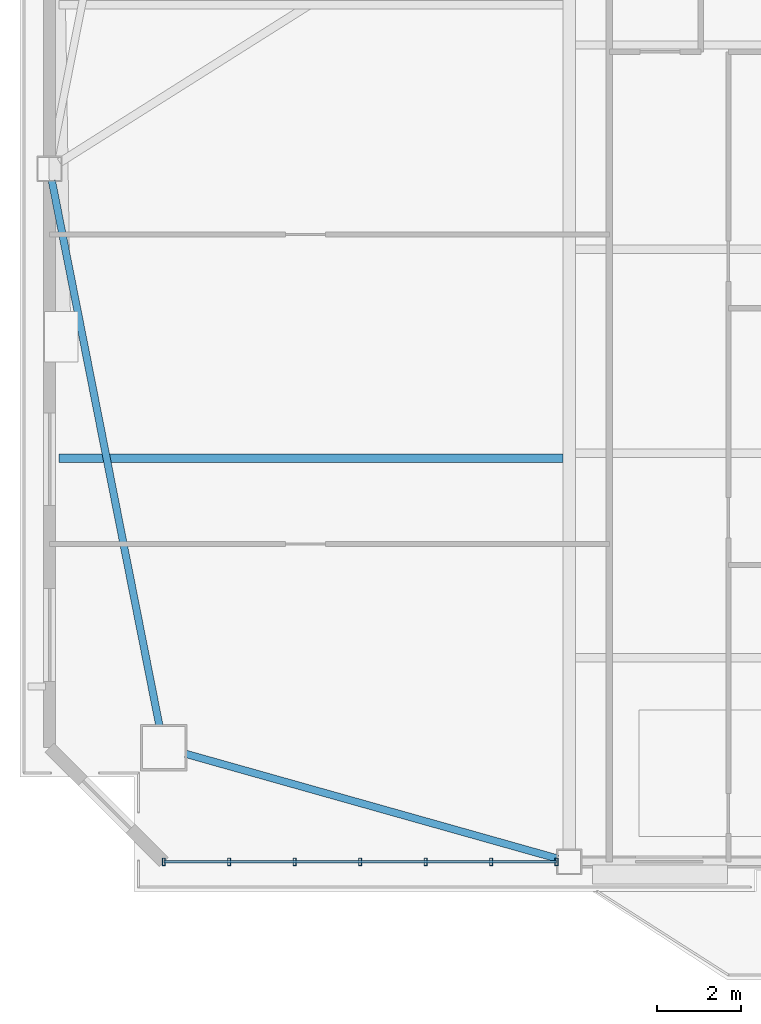
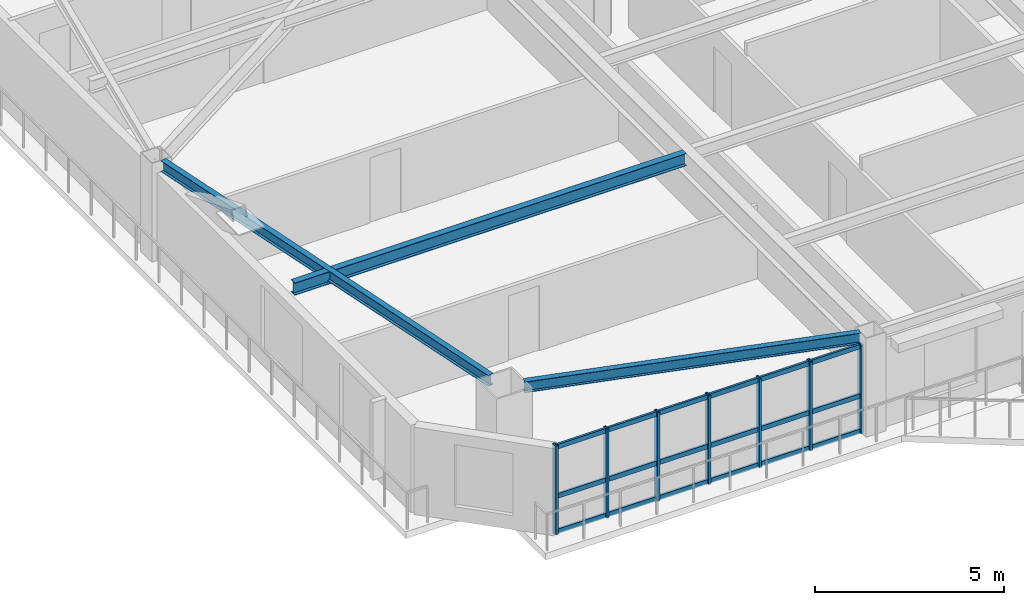
# One storey, part 2 of 16: 10 members, 3 beams, 1 element without a shape of its own.
"""IFC4 building model written with IfcOpenShell, lengths in metres."""

import ifcopenshell
import ifcopenshell.guid

model = None  # the IFC model being written
_history = None  # IfcOwnerHistory: only IFC2X3 demands one
_inside = {}  # id of a spatial element -> (the spatial element, [elements in it])
_under = {}  # id of a project, library or spatial element -> (it, [spatial elements below it])
_declared = {}  # id of a project -> (the project, [libraries it declares])
_typed = {}  # id of a type object -> (the type object, [elements of that type])
_made_of = {}  # id of a material, layer set ... -> (it, [elements and type objects made of it])


def new_model(schema):
    """Start an empty IFC model of exactly this schema.

    Asked for "IFC4X3", IfcOpenShell would pick the latest addendum, in which some entities
    have other attributes; the version numbers below select the first issue.
    IFC2X3 requires an IfcOwnerHistory on every rooted entity: one is made here for all.
    """
    global model, _history
    if schema == "IFC4X3":
        model = ifcopenshell.file(schema_version=(4, 3, 0, 0))
    else:
        model = ifcopenshell.file(schema=schema)
    _inside.clear()
    _under.clear()
    _declared.clear()
    _typed.clear()
    _made_of.clear()
    _history = None
    if model.schema == "IFC2X3":
        org = make("IfcOrganization", Name="unknown")
        user = make(
            "IfcPersonAndOrganization",
            ThePerson=make("IfcPerson", FamilyName="unknown"),
            TheOrganization=org,
        )
        app = make(
            "IfcApplication",
            ApplicationDeveloper=org,
            Version="unknown",
            ApplicationFullName="unknown",
            ApplicationIdentifier="unknown",
        )
        _history = make(
            "IfcOwnerHistory",
            OwningUser=user,
            OwningApplication=app,
            ChangeAction="ADDED",
            CreationDate=0,
        )
    return model


def make(cls, **values):
    """One entity of the class cls with the attributes given. An attribute that is None is left unset."""
    return model.create_entity(
        cls, **{name: value for name, value in values.items() if value is not None}
    )


def rooted(cls, **values):
    """An entity with a GlobalId (a new one), such as an element, a storey or a relation."""
    return make(cls, GlobalId=ifcopenshell.guid.new(), OwnerHistory=_history, **values)


def si_unit(unit_type, name, prefix=None):
    """IfcSIUnit, for example si_unit("LENGTHUNIT", "METRE", prefix="MILLI")."""
    return make("IfcSIUnit", UnitType=unit_type, Prefix=prefix, Name=name)


def assignment(units):
    """IfcUnitAssignment: the units of a project."""
    return None if units is None else make("IfcUnitAssignment", Units=units)


def point(xyz):
    """IfcCartesianPoint."""
    return None if xyz is None else make("IfcCartesianPoint", Coordinates=xyz)


def direction(xyz):
    """IfcDirection."""
    return None if xyz is None else make("IfcDirection", DirectionRatios=xyz)


def frame(location, z_axis=None, x_axis=None):
    """IfcAxis2Placement3D, a coordinate frame: its origin and axes. An axis left out is left unset."""
    return make(
        "IfcAxis2Placement3D",
        Location=point(location),
        Axis=direction(z_axis),
        RefDirection=direction(x_axis),
    )


def frame_2d(location, x_axis=None):
    """IfcAxis2Placement2D, a coordinate frame in the plane: its origin and x axis."""
    return make(
        "IfcAxis2Placement2D", Location=point(location), RefDirection=direction(x_axis)
    )


def origin():
    """The frame at (0, 0, 0) with its axes left unset."""
    return frame((0.0, 0.0, 0.0))


def origin_2d():
    """The frame at (0, 0) in the plane with its x axis left unset."""
    return frame_2d((0.0, 0.0))


def place(relative_to, where):
    """IfcLocalPlacement: puts the frame where relative to a parent placement (None: the world)."""
    return make(
        "IfcLocalPlacement", PlacementRelTo=relative_to, RelativePlacement=where
    )


def context(
    kind, dimensions, precision=None, world=None, true_north=None, identifier=None
):
    """IfcGeometricRepresentationContext, for example the 3D "Model" context."""
    return make(
        "IfcGeometricRepresentationContext",
        ContextIdentifier=identifier,
        ContextType=kind,
        CoordinateSpaceDimension=dimensions,
        Precision=precision,
        WorldCoordinateSystem=world,
        TrueNorth=true_north,
    )


def subcontext(parent, identifier, kind, view, scale=None):
    """IfcGeometricRepresentationSubContext, for example "Body" below "Model"."""
    return make(
        "IfcGeometricRepresentationSubContext",
        ContextIdentifier=identifier,
        ContextType=kind,
        ParentContext=parent,
        TargetScale=scale,
        TargetView=view,
    )


def project(units=None, contexts=None):
    """IfcProject with its units and contexts."""
    return rooted(
        "IfcProject",
        Name="project",
        RepresentationContexts=contexts,
        UnitsInContext=assignment(units),
    )


def spatial(cls, under=None, at=None, **own):
    """A site, building, storey or space (cls), placed at a placement, below another one or the project."""
    s = rooted(cls, ObjectPlacement=at, **own)
    if under is not None:
        _under.setdefault(under.id(), (under, []))[1].append(s)
    return s


def profile(cls, at=None, kind="AREA", **sizes):
    """A parametric profile (cls). Its sizes go by their IFC names, for example OverallWidth=200.0."""
    return make(cls, ProfileType=kind, Position=at, **sizes)


def hollow_rectangle(**sizes):
    """IfcRectangleHollowProfileDef."""
    return profile("IfcRectangleHollowProfileDef", **sizes)


def i_section(**sizes):
    """IfcIShapeProfileDef."""
    return profile("IfcIShapeProfileDef", **sizes)


def extrude(swept, where, along, depth):
    """IfcExtrudedAreaSolid: the profile swept, set in the frame where, extruded along a direction by depth."""
    return make(
        "IfcExtrudedAreaSolid",
        SweptArea=swept,
        Position=where,
        ExtrudedDirection=direction(along),
        Depth=depth,
    )


def shape(context_of_items, identifier, shape_type, items):
    """IfcShapeRepresentation: the items that make up one representation, for example the "Body"."""
    return make(
        "IfcShapeRepresentation",
        ContextOfItems=context_of_items,
        RepresentationIdentifier=identifier,
        RepresentationType=shape_type,
        Items=items,
    )


def source(mapping_origin, context_of_items, identifier, shape_type, items):
    """IfcRepresentationMap: a shape defined once, which mapped items show again and again."""
    return make(
        "IfcRepresentationMap",
        MappingOrigin=mapping_origin,
        MappedRepresentation=shape(context_of_items, identifier, shape_type, items),
    )


def transform(
    local_origin,
    x_axis=None,
    y_axis=None,
    z_axis=None,
    scale=None,
    scale2=None,
    scale3=None,
    uniform=True,
):
    """IfcCartesianTransformationOperator3D, or its non-uniform kind. x_axis, y_axis, z_axis: its Axis1, 2, 3."""
    if uniform:
        return make(
            "IfcCartesianTransformationOperator3D",
            Axis1=direction(x_axis),
            Axis2=direction(y_axis),
            LocalOrigin=point(local_origin),
            Scale=scale,
            Axis3=direction(z_axis),
        )
    return make(
        "IfcCartesianTransformationOperator3DnonUniform",
        Axis1=direction(x_axis),
        Axis2=direction(y_axis),
        LocalOrigin=point(local_origin),
        Scale=scale,
        Axis3=direction(z_axis),
        Scale2=scale2,
        Scale3=scale3,
    )


def mapped(mapping_source, mapping_target):
    """IfcMappedItem: shows the shape of a source again, moved by a transform."""
    return make(
        "IfcMappedItem", MappingSource=mapping_source, MappingTarget=mapping_target
    )


def material(Name=None, Category=None):
    """IfcMaterial."""
    return make("IfcMaterial", Name=Name, Category=Category)


def layer(
    of_material, thickness, ventilated=None, Name=None, Category=None, Priority=None
):
    """IfcMaterialLayer: one layer of a wall or slab, of a material (None: an air gap)."""
    return make(
        "IfcMaterialLayer",
        Material=of_material,
        LayerThickness=thickness,
        IsVentilated=ventilated,
        Name=Name,
        Category=Category,
        Priority=Priority,
    )


def layer_set(layers, Name=None):
    """IfcMaterialLayerSet."""
    return make("IfcMaterialLayerSet", MaterialLayers=layers, LayerSetName=Name)


def material_profile(
    of_material, cross_section, Name=None, Category=None, Priority=None
):
    """IfcMaterialProfile: a cross section and its material."""
    return make(
        "IfcMaterialProfile",
        Name=Name,
        Material=of_material,
        Profile=cross_section,
        Priority=Priority,
        Category=Category,
    )


def profile_set(profiles, Name=None, composite=None):
    """IfcMaterialProfileSet."""
    return make(
        "IfcMaterialProfileSet",
        Name=Name,
        MaterialProfiles=profiles,
        CompositeProfile=composite,
    )


def made_of(thing, what):
    """Note that an element or type object is made of a material, layer set ...; save() writes the relation."""
    if what is not None:
        _made_of.setdefault(what.id(), (what, []))[1].append(thing)
    return thing


def type_object(cls, material=None, **own):
    """A type object (cls), such as IfcWallType, which elements share."""
    return made_of(rooted(cls, **own), material)


def element(
    cls,
    number,
    at=None,
    inside=None,
    cuts=None,
    type_object=None,
    material=None,
    context=None,
    identifier="Body",
    shape_type=None,
    held_by="IfcProductDefinitionShape",
    body=None,
    shapes=None,
    **own,
):
    """One element of the class cls, such as IfcWall. Its Tag is "e" and its number.

    at: its placement. inside: the storey or other place that contains it. cuts: it is an
    opening in that element (IfcRelVoidsElement). A single representation is given by context,
    identifier, shape_type and body (its items); several are given by shapes. held_by: the class
    of the entity that holds the representations. save() writes the other relations.
    """
    e = rooted(cls, Tag="e%d" % number, ObjectPlacement=at, **own)
    if body is not None:
        shapes = [shape(context, identifier, shape_type, body)]
    if shapes is not None:
        e.Representation = make(held_by, Representations=shapes)
    if inside is not None:
        _inside.setdefault(inside.id(), (inside, []))[1].append(e)
    if cuts is not None:
        rooted(
            "IfcRelVoidsElement", RelatingBuildingElement=cuts, RelatedOpeningElement=e
        )
    if type_object is not None:
        _typed.setdefault(type_object.id(), (type_object, []))[1].append(e)
    return made_of(e, material)


def aggregate(whole, parts):
    """IfcRelAggregates: a whole, such as a stair, and the parts it consists of."""
    return rooted("IfcRelAggregates", RelatingObject=whole, RelatedObjects=parts)


def save(model, path):
    """Write the relations noted so far, then the file.

    IfcRelAggregates (storeys below a building ...), IfcRelContainedInSpatialStructure (elements
    in a storey), IfcRelDefinesByType, IfcRelAssociatesMaterial and IfcRelDeclares: one each for
    every whole, place, type object, material and project.
    """
    for whole, parts in _under.values():
        aggregate(whole, parts)
    for where, things in _inside.values():
        rooted(
            "IfcRelContainedInSpatialStructure",
            RelatedElements=things,
            RelatingStructure=where,
        )
    for kind, things in _typed.values():
        rooted("IfcRelDefinesByType", RelatedObjects=things, RelatingType=kind)
    for what, things in _made_of.values():
        rooted("IfcRelAssociatesMaterial", RelatedObjects=things, RelatingMaterial=what)
    for by, libraries in _declared.values():
        rooted("IfcRelDeclares", RelatingContext=by, RelatedDefinitions=libraries)
    model.write(path)


model = new_model("IFC4")

# Units and contexts
model_context = context("Model", 3, precision=1e-05, world=origin(), true_north=direction((0.0, 1.0)))
body_context = subcontext(model_context, "Body", "Model", "MODEL_VIEW")
ifc_project = project(units=[si_unit("LENGTHUNIT", "METRE"), si_unit("AREAUNIT", "SQUARE_METRE"), si_unit("VOLUMEUNIT", "CUBIC_METRE"), si_unit("PLANEANGLEUNIT", "RADIAN"), si_unit("MASSUNIT", "GRAM", prefix="KILO")], contexts=[model_context])

# Site, building, storey
site_placement = place(None, origin())
site = spatial("IfcSite", under=ifc_project, at=site_placement, CompositionType="ELEMENT")
building_placement = place(site_placement, origin())
building = spatial("IfcBuilding", under=site, at=building_placement, Name="Giltprow Tower", CompositionType="ELEMENT")
storey_placement = place(building_placement, frame((0.0, 0.0, 230.39990234375)))
storey = spatial("IfcBuildingStorey", under=building, at=storey_placement, Name="L58", CompositionType="ELEMENT", Elevation=230.39990234375)

# Beams
ifc_material_1 = material(Name="Structural steel Q355B", Category="steel")
ifc_material_profile_1 = material_profile(ifc_material_1, i_section(OverallWidth=0.199951171875, OverallDepth=0.39990234375, WebThickness=0.008056640625, FlangeThickness=0.012939453125, at=origin_2d()), Name="HN 400x200x8x13")
ifc_profile_set_1 = profile_set([ifc_material_profile_1], Name="Structural steel Q355B")
beam_type_1 = type_object("IfcBeamType", Name="BM-JOIST-HN400", PredefinedType="JOIST", material=ifc_profile_set_1)
shared_shape_1 = source(origin(), body_context, "Body", "SweptSolid", [
    extrude(i_section(OverallWidth=0.199951171875, OverallDepth=0.39990234375, WebThickness=0.008056640625, FlangeThickness=0.012939453125, at=origin_2d()), origin(), (0.0, 0.0, 1.0), 11.9521484375),
])
beam_1_placement = place(storey_placement, frame((7.7529296875, 22.81591796875, 2.985107421875), z_axis=(1.0, 0.0, 0.0), x_axis=(0.0, 1.0, 0.0)))
element("IfcBeam", 1, at=beam_1_placement, inside=storey, type_object=beam_type_1, Name="L58 West Wing Floor Joist 1", PredefinedType="JOIST", context=body_context, shape_type="MappedRepresentation", body=[
    mapped(shared_shape_1, transform((0.0, 0.0, 0.0), x_axis=(1.0, 0.0, 0.0), y_axis=(0.0, 1.0, 0.0), z_axis=(0.0, 0.0, 1.0), scale=1.0)),
])
ifc_material_profile_2 = material_profile(ifc_material_1, i_section(OverallWidth=0.175048828125, OverallDepth=0.35009765625, WebThickness=0.007080078125, FlangeThickness=0.010986328125, at=origin_2d()), Name="HN 350x175x7x11")
ifc_profile_set_2 = profile_set([ifc_material_profile_2], Name="Structural steel Q355B")
beam_type_2 = type_object("IfcBeamType", Name="BM-SPAN-HN350", PredefinedType="SPANDREL", material=ifc_profile_set_2)
shared_shape_2 = source(origin(), body_context, "Body", "SweptSolid", [
    extrude(i_section(OverallWidth=0.175048828125, OverallDepth=0.35009765625, WebThickness=0.007080078125, FlangeThickness=0.010986328125, at=origin_2d()), origin(), (0.0, 0.0, 1.0), 9.164306640625),
])
beam_2_placement = place(storey_placement, frame((10.7548828125, 15.81201171875, 3.010009765625), z_axis=(0.962531726168, -0.27116909138, 0.0), x_axis=(0.27116909138, 0.962531726168, 0.0)))
element("IfcBeam", 2, at=beam_2_placement, inside=storey, type_object=beam_type_2, Name="L58 Perimeter Spandrel Beam MC_SW-S1", PredefinedType="SPANDREL", context=body_context, shape_type="MappedRepresentation", body=[
    mapped(shared_shape_2, transform((0.0, 0.0, 0.0), x_axis=(1.0, 0.0, 0.0), y_axis=(0.0, 1.0, 0.0), z_axis=(0.0, 0.0, 1.0), scale=1.0)),
])
shared_shape_3 = source(origin(), body_context, "Body", "SweptSolid", [
    extrude(i_section(OverallWidth=0.175048828125, OverallDepth=0.35009765625, WebThickness=0.007080078125, FlangeThickness=0.010986328125, at=origin_2d()), origin(), (0.0, 0.0, 1.0), 13.162109375),
])
beam_3_placement = place(storey_placement, frame((7.587890625, 29.39501953125, 3.010009765625), z_axis=(0.193593566524, -0.98108181667, 0.0), x_axis=(0.98108181667, 0.193593566524, 0.0)))
element("IfcBeam", 3, at=beam_3_placement, inside=storey, type_object=beam_type_2, Name="L58 Perimeter Spandrel Beam W_MID-MC_SW", PredefinedType="SPANDREL", context=body_context, shape_type="MappedRepresentation", body=[
    mapped(shared_shape_3, transform((0.0, 0.0, 0.0), x_axis=(1.0, 0.0, 0.0), y_axis=(0.0, 1.0, 0.0), z_axis=(0.0, 0.0, 1.0), scale=1.0)),
])

# Curtain wall, members
ifc_material_2 = material(Name="Anodized bronze", Category="metal")
ifc_layer = layer(ifc_material_2, 0.179931640625, Name="Anodized bronze")
ifc_layer_set = layer_set([ifc_layer], Name="Anodized bronze")
curtain_wall_type = type_object("IfcCurtainWallType", Name="CW-RES-SKY", PredefinedType="NOTDEFINED", material=ifc_layer_set)
curtain_wall_placement = place(storey_placement, origin())
curtain_wall = element("IfcCurtainWall", 4, at=curtain_wall_placement, inside=storey, type_object=curtain_wall_type, Name="L58 South Recessed Curtain Wall 1", PredefinedType="NOTDEFINED")
ifc_material_profile_3 = material_profile(ifc_material_2, hollow_rectangle(XDim=0.074951171875, YDim=0.179931640625, WallThickness=0.008056640625, at=origin_2d()), Name="RHS 180x75x8")
ifc_profile_set_3 = profile_set([ifc_material_profile_3], Name="Anodized bronze")
member_type_1 = type_object("IfcMemberType", Name="CW-MULLION-180x75", PredefinedType="MULLION", material=ifc_profile_set_3)
shared_shape_4 = source(origin(), body_context, "Body", "SweptSolid", [
    extrude(hollow_rectangle(XDim=0.074951171875, YDim=0.179931640625, WallThickness=0.008056640625, at=origin_2d()), origin(), (0.0, 0.0, 1.0), 2.8701171875),
])
member_1_placement = place(storey_placement, frame((10.239990234375, 13.25, -0.02001953125), z_axis=(0.0, 0.0, 1.0), x_axis=(1.0, 0.0, 0.0)))
member_1 = element("IfcMember", 5, at=member_1_placement, type_object=member_type_1, Name="L58 South Recessed Curtain Wall 1 Mullion 1", PredefinedType="MULLION", context=body_context, shape_type="MappedRepresentation", body=[
    mapped(shared_shape_4, transform((0.0, 0.0, 0.0), x_axis=(1.0, 0.0, 0.0), y_axis=(0.0, 1.0, 0.0), z_axis=(0.0, 0.0, 1.0), scale=1.0)),
])
member_2_placement = place(storey_placement, frame((11.7919921875, 13.25, -0.02001953125), z_axis=(0.0, 0.0, 1.0), x_axis=(1.0, 0.0, 0.0)))
member_2 = element("IfcMember", 6, at=member_2_placement, type_object=member_type_1, Name="L58 South Recessed Curtain Wall 1 Mullion 2", PredefinedType="MULLION", context=body_context, shape_type="MappedRepresentation", body=[
    mapped(shared_shape_4, transform((0.0, 0.0, 0.0), x_axis=(1.0, 0.0, 0.0), y_axis=(0.0, 1.0, 0.0), z_axis=(0.0, 0.0, 1.0), scale=1.0)),
])
member_3_placement = place(storey_placement, frame((13.343017578125, 13.25, -0.02001953125), z_axis=(0.0, 0.0, 1.0), x_axis=(1.0, 0.0, 0.0)))
member_3 = element("IfcMember", 7, at=member_3_placement, type_object=member_type_1, Name="L58 South Recessed Curtain Wall 1 Mullion 3", PredefinedType="MULLION", context=body_context, shape_type="MappedRepresentation", body=[
    mapped(shared_shape_4, transform((0.0, 0.0, 0.0), x_axis=(1.0, 0.0, 0.0), y_axis=(0.0, 1.0, 0.0), z_axis=(0.0, 0.0, 1.0), scale=1.0)),
])
member_4_placement = place(storey_placement, frame((14.89501953125, 13.25, -0.02001953125), z_axis=(0.0, 0.0, 1.0), x_axis=(1.0, 0.0, 0.0)))
member_4 = element("IfcMember", 8, at=member_4_placement, type_object=member_type_1, Name="L58 South Recessed Curtain Wall 1 Mullion 4", PredefinedType="MULLION", context=body_context, shape_type="MappedRepresentation", body=[
    mapped(shared_shape_4, transform((0.0, 0.0, 0.0), x_axis=(1.0, 0.0, 0.0), y_axis=(0.0, 1.0, 0.0), z_axis=(0.0, 0.0, 1.0), scale=1.0)),
])
member_5_placement = place(storey_placement, frame((16.447021484375, 13.25, -0.02001953125), z_axis=(0.0, 0.0, 1.0), x_axis=(1.0, 0.0, 0.0)))
member_5 = element("IfcMember", 9, at=member_5_placement, type_object=member_type_1, Name="L58 South Recessed Curtain Wall 1 Mullion 5", PredefinedType="MULLION", context=body_context, shape_type="MappedRepresentation", body=[
    mapped(shared_shape_4, transform((0.0, 0.0, 0.0), x_axis=(1.0, 0.0, 0.0), y_axis=(0.0, 1.0, 0.0), z_axis=(0.0, 0.0, 1.0), scale=1.0)),
])
member_6_placement = place(storey_placement, frame((17.998046875, 13.25, -0.02001953125), z_axis=(0.0, 0.0, 1.0), x_axis=(1.0, 0.0, 0.0)))
member_6 = element("IfcMember", 10, at=member_6_placement, type_object=member_type_1, Name="L58 South Recessed Curtain Wall 1 Mullion 6", PredefinedType="MULLION", context=body_context, shape_type="MappedRepresentation", body=[
    mapped(shared_shape_4, transform((0.0, 0.0, 0.0), x_axis=(1.0, 0.0, 0.0), y_axis=(0.0, 1.0, 0.0), z_axis=(0.0, 0.0, 1.0), scale=1.0)),
])
member_7_placement = place(storey_placement, frame((19.550048828125, 13.25, -0.02001953125), z_axis=(0.0, 0.0, 1.0), x_axis=(1.0, 0.0, 0.0)))
member_7 = element("IfcMember", 11, at=member_7_placement, type_object=member_type_1, Name="L58 South Recessed Curtain Wall 1 Mullion 7", PredefinedType="MULLION", context=body_context, shape_type="MappedRepresentation", body=[
    mapped(shared_shape_4, transform((0.0, 0.0, 0.0), x_axis=(1.0, 0.0, 0.0), y_axis=(0.0, 1.0, 0.0), z_axis=(0.0, 0.0, 1.0), scale=1.0)),
])
ifc_material_profile_4 = material_profile(ifc_material_2, hollow_rectangle(XDim=0.06494140625, YDim=0.14990234375, WallThickness=0.006103515625, at=origin_2d()), Name="RHS 150x65x6")
ifc_profile_set_4 = profile_set([ifc_material_profile_4], Name="Anodized bronze")
member_type_2 = type_object("IfcMemberType", Name="CW-TRANSOM-150x65", PredefinedType="USERDEFINED", material=ifc_profile_set_4)
shared_shape_5 = source(origin(), body_context, "Body", "SweptSolid", [
    extrude(hollow_rectangle(XDim=0.06494140625, YDim=0.14990234375, WallThickness=0.006103515625, at=origin_2d()), origin(), (0.0, 0.0, 1.0), 9.31005859375),
])
member_8_placement = place(storey_placement, frame((10.239990234375, 13.25, 0.0400390625), z_axis=(1.0, 0.0, 0.0), x_axis=(0.0, 1.0, 0.0)))
member_8 = element("IfcMember", 12, at=member_8_placement, type_object=member_type_2, Name="L58 South Recessed Curtain Wall 1 Transom 1", ObjectType="TRANSOM", PredefinedType="USERDEFINED", context=body_context, shape_type="MappedRepresentation", body=[
    mapped(shared_shape_5, transform((0.0, 0.0, 0.0), x_axis=(1.0, 0.0, 0.0), y_axis=(0.0, 1.0, 0.0), z_axis=(0.0, 0.0, 1.0), scale=1.0)),
])
member_9_placement = place(storey_placement, frame((10.239990234375, 13.25, 1.18212890625), z_axis=(1.0, 0.0, 0.0), x_axis=(0.0, 1.0, 0.0)))
member_9 = element("IfcMember", 13, at=member_9_placement, type_object=member_type_2, Name="L58 South Recessed Curtain Wall 1 Transom 2", ObjectType="TRANSOM", PredefinedType="USERDEFINED", context=body_context, shape_type="MappedRepresentation", body=[
    mapped(shared_shape_5, transform((0.0, 0.0, 0.0), x_axis=(1.0, 0.0, 0.0), y_axis=(0.0, 1.0, 0.0), z_axis=(0.0, 0.0, 1.0), scale=1.0)),
])
member_10_placement = place(storey_placement, frame((10.239990234375, 13.25, 2.775146484375), z_axis=(1.0, 0.0, 0.0), x_axis=(0.0, 1.0, 0.0)))
member_10 = element("IfcMember", 14, at=member_10_placement, type_object=member_type_2, Name="L58 South Recessed Curtain Wall 1 Transom 3", ObjectType="TRANSOM", PredefinedType="USERDEFINED", context=body_context, shape_type="MappedRepresentation", body=[
    mapped(shared_shape_5, transform((0.0, 0.0, 0.0), x_axis=(1.0, 0.0, 0.0), y_axis=(0.0, 1.0, 0.0), z_axis=(0.0, 0.0, 1.0), scale=1.0)),
])
aggregate(curtain_wall, [member_1, member_2, member_3, member_4, member_5, member_6, member_7, member_8, member_9, member_10])

save(model, "model.ifc")
